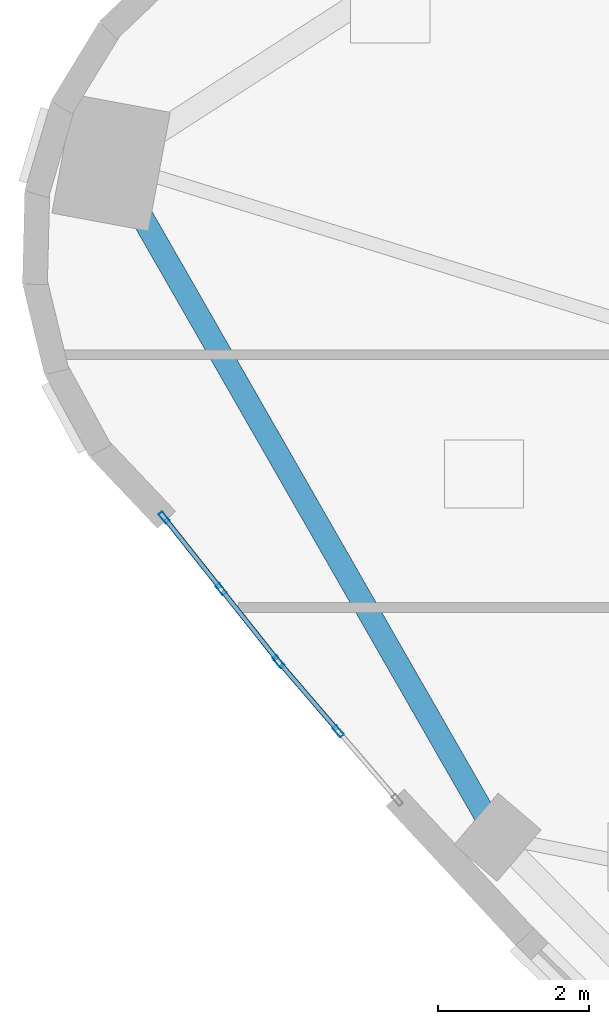
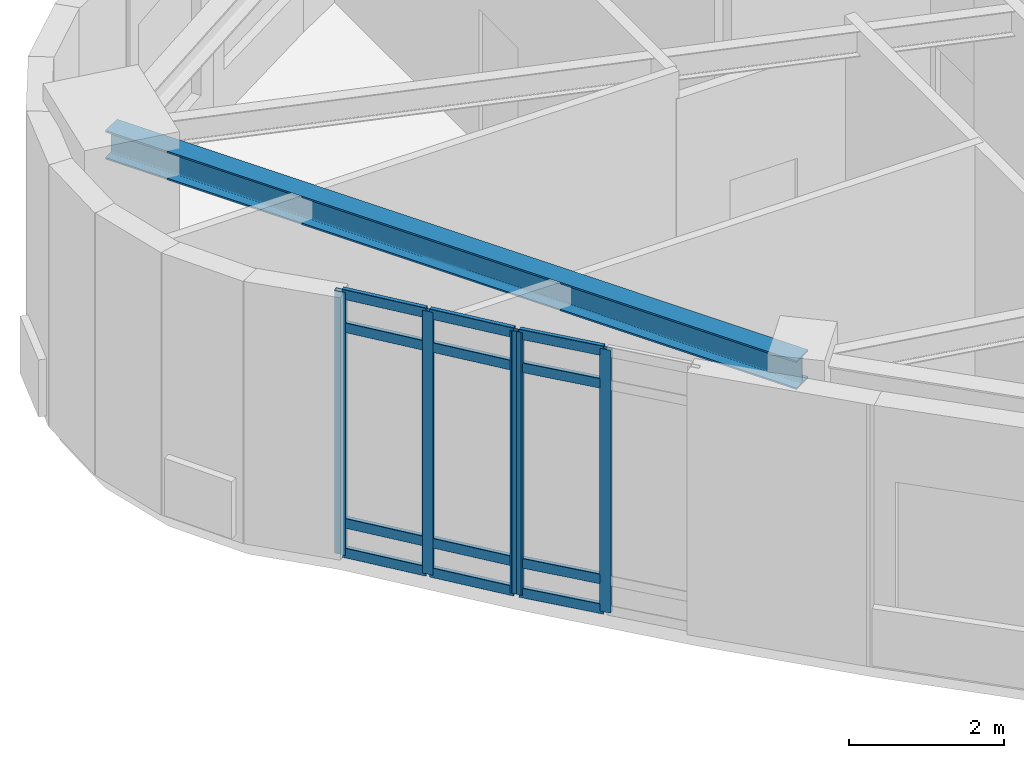
# One storey, part 5 of 19: 17 members, 1 beam, 2 elements without a shape of their own.
"""IFC4 building model written with IfcOpenShell, lengths in metres."""

import ifcopenshell
import ifcopenshell.guid

model = None  # the IFC model being written
_history = None  # IfcOwnerHistory: only IFC2X3 demands one
_inside = {}  # id of a spatial element -> (the spatial element, [elements in it])
_under = {}  # id of a project, library or spatial element -> (it, [spatial elements below it])
_declared = {}  # id of a project -> (the project, [libraries it declares])
_typed = {}  # id of a type object -> (the type object, [elements of that type])
_made_of = {}  # id of a material, layer set ... -> (it, [elements and type objects made of it])


def new_model(schema):
    """Start an empty IFC model of exactly this schema.

    Asked for "IFC4X3", IfcOpenShell would pick the latest addendum, in which some entities
    have other attributes; the version numbers below select the first issue.
    IFC2X3 requires an IfcOwnerHistory on every rooted entity: one is made here for all.
    """
    global model, _history
    if schema == "IFC4X3":
        model = ifcopenshell.file(schema_version=(4, 3, 0, 0))
    else:
        model = ifcopenshell.file(schema=schema)
    _inside.clear()
    _under.clear()
    _declared.clear()
    _typed.clear()
    _made_of.clear()
    _history = None
    if model.schema == "IFC2X3":
        org = make("IfcOrganization", Name="unknown")
        user = make(
            "IfcPersonAndOrganization",
            ThePerson=make("IfcPerson", FamilyName="unknown"),
            TheOrganization=org,
        )
        app = make(
            "IfcApplication",
            ApplicationDeveloper=org,
            Version="unknown",
            ApplicationFullName="unknown",
            ApplicationIdentifier="unknown",
        )
        _history = make(
            "IfcOwnerHistory",
            OwningUser=user,
            OwningApplication=app,
            ChangeAction="ADDED",
            CreationDate=0,
        )
    return model


def make(cls, **values):
    """One entity of the class cls with the attributes given. An attribute that is None is left unset."""
    return model.create_entity(
        cls, **{name: value for name, value in values.items() if value is not None}
    )


def rooted(cls, **values):
    """An entity with a GlobalId (a new one), such as an element, a storey or a relation."""
    return make(cls, GlobalId=ifcopenshell.guid.new(), OwnerHistory=_history, **values)


def si_unit(unit_type, name, prefix=None):
    """IfcSIUnit, for example si_unit("LENGTHUNIT", "METRE", prefix="MILLI")."""
    return make("IfcSIUnit", UnitType=unit_type, Prefix=prefix, Name=name)


def assignment(units):
    """IfcUnitAssignment: the units of a project."""
    return None if units is None else make("IfcUnitAssignment", Units=units)


def point(xyz):
    """IfcCartesianPoint."""
    return None if xyz is None else make("IfcCartesianPoint", Coordinates=xyz)


def direction(xyz):
    """IfcDirection."""
    return None if xyz is None else make("IfcDirection", DirectionRatios=xyz)


def frame(location, z_axis=None, x_axis=None):
    """IfcAxis2Placement3D, a coordinate frame: its origin and axes. An axis left out is left unset."""
    return make(
        "IfcAxis2Placement3D",
        Location=point(location),
        Axis=direction(z_axis),
        RefDirection=direction(x_axis),
    )


def frame_2d(location, x_axis=None):
    """IfcAxis2Placement2D, a coordinate frame in the plane: its origin and x axis."""
    return make(
        "IfcAxis2Placement2D", Location=point(location), RefDirection=direction(x_axis)
    )


def origin():
    """The frame at (0, 0, 0) with its axes left unset."""
    return frame((0.0, 0.0, 0.0))


def origin_2d():
    """The frame at (0, 0) in the plane with its x axis left unset."""
    return frame_2d((0.0, 0.0))


def place(relative_to, where):
    """IfcLocalPlacement: puts the frame where relative to a parent placement (None: the world)."""
    return make(
        "IfcLocalPlacement", PlacementRelTo=relative_to, RelativePlacement=where
    )


def context(
    kind, dimensions, precision=None, world=None, true_north=None, identifier=None
):
    """IfcGeometricRepresentationContext, for example the 3D "Model" context."""
    return make(
        "IfcGeometricRepresentationContext",
        ContextIdentifier=identifier,
        ContextType=kind,
        CoordinateSpaceDimension=dimensions,
        Precision=precision,
        WorldCoordinateSystem=world,
        TrueNorth=true_north,
    )


def subcontext(parent, identifier, kind, view, scale=None):
    """IfcGeometricRepresentationSubContext, for example "Body" below "Model"."""
    return make(
        "IfcGeometricRepresentationSubContext",
        ContextIdentifier=identifier,
        ContextType=kind,
        ParentContext=parent,
        TargetScale=scale,
        TargetView=view,
    )


def project(units=None, contexts=None):
    """IfcProject with its units and contexts."""
    return rooted(
        "IfcProject",
        Name="project",
        RepresentationContexts=contexts,
        UnitsInContext=assignment(units),
    )


def spatial(cls, under=None, at=None, **own):
    """A site, building, storey or space (cls), placed at a placement, below another one or the project."""
    s = rooted(cls, ObjectPlacement=at, **own)
    if under is not None:
        _under.setdefault(under.id(), (under, []))[1].append(s)
    return s


def profile(cls, at=None, kind="AREA", **sizes):
    """A parametric profile (cls). Its sizes go by their IFC names, for example OverallWidth=200.0."""
    return make(cls, ProfileType=kind, Position=at, **sizes)


def hollow_rectangle(**sizes):
    """IfcRectangleHollowProfileDef."""
    return profile("IfcRectangleHollowProfileDef", **sizes)


def i_section(**sizes):
    """IfcIShapeProfileDef."""
    return profile("IfcIShapeProfileDef", **sizes)


def extrude(swept, where, along, depth):
    """IfcExtrudedAreaSolid: the profile swept, set in the frame where, extruded along a direction by depth."""
    return make(
        "IfcExtrudedAreaSolid",
        SweptArea=swept,
        Position=where,
        ExtrudedDirection=direction(along),
        Depth=depth,
    )


def shape(context_of_items, identifier, shape_type, items):
    """IfcShapeRepresentation: the items that make up one representation, for example the "Body"."""
    return make(
        "IfcShapeRepresentation",
        ContextOfItems=context_of_items,
        RepresentationIdentifier=identifier,
        RepresentationType=shape_type,
        Items=items,
    )


def material(Name=None, Category=None):
    """IfcMaterial."""
    return make("IfcMaterial", Name=Name, Category=Category)


def layer(
    of_material, thickness, ventilated=None, Name=None, Category=None, Priority=None
):
    """IfcMaterialLayer: one layer of a wall or slab, of a material (None: an air gap)."""
    return make(
        "IfcMaterialLayer",
        Material=of_material,
        LayerThickness=thickness,
        IsVentilated=ventilated,
        Name=Name,
        Category=Category,
        Priority=Priority,
    )


def layer_set(layers, Name=None):
    """IfcMaterialLayerSet."""
    return make("IfcMaterialLayerSet", MaterialLayers=layers, LayerSetName=Name)


def material_profile(
    of_material, cross_section, Name=None, Category=None, Priority=None
):
    """IfcMaterialProfile: a cross section and its material."""
    return make(
        "IfcMaterialProfile",
        Name=Name,
        Material=of_material,
        Profile=cross_section,
        Priority=Priority,
        Category=Category,
    )


def profile_set(profiles, Name=None, composite=None):
    """IfcMaterialProfileSet."""
    return make(
        "IfcMaterialProfileSet",
        Name=Name,
        MaterialProfiles=profiles,
        CompositeProfile=composite,
    )


def made_of(thing, what):
    """Note that an element or type object is made of a material, layer set ...; save() writes the relation."""
    if what is not None:
        _made_of.setdefault(what.id(), (what, []))[1].append(thing)
    return thing


def type_object(cls, material=None, **own):
    """A type object (cls), such as IfcWallType, which elements share."""
    return made_of(rooted(cls, **own), material)


def element(
    cls,
    number,
    at=None,
    inside=None,
    cuts=None,
    type_object=None,
    material=None,
    context=None,
    identifier="Body",
    shape_type=None,
    held_by="IfcProductDefinitionShape",
    body=None,
    shapes=None,
    **own,
):
    """One element of the class cls, such as IfcWall. Its Tag is "e" and its number.

    at: its placement. inside: the storey or other place that contains it. cuts: it is an
    opening in that element (IfcRelVoidsElement). A single representation is given by context,
    identifier, shape_type and body (its items); several are given by shapes. held_by: the class
    of the entity that holds the representations. save() writes the other relations.
    """
    e = rooted(cls, Tag="e%d" % number, ObjectPlacement=at, **own)
    if body is not None:
        shapes = [shape(context, identifier, shape_type, body)]
    if shapes is not None:
        e.Representation = make(held_by, Representations=shapes)
    if inside is not None:
        _inside.setdefault(inside.id(), (inside, []))[1].append(e)
    if cuts is not None:
        rooted(
            "IfcRelVoidsElement", RelatingBuildingElement=cuts, RelatedOpeningElement=e
        )
    if type_object is not None:
        _typed.setdefault(type_object.id(), (type_object, []))[1].append(e)
    return made_of(e, material)


def aggregate(whole, parts):
    """IfcRelAggregates: a whole, such as a stair, and the parts it consists of."""
    return rooted("IfcRelAggregates", RelatingObject=whole, RelatedObjects=parts)


def save(model, path):
    """Write the relations noted so far, then the file.

    IfcRelAggregates (storeys below a building ...), IfcRelContainedInSpatialStructure (elements
    in a storey), IfcRelDefinesByType, IfcRelAssociatesMaterial and IfcRelDeclares: one each for
    every whole, place, type object, material and project.
    """
    for whole, parts in _under.values():
        aggregate(whole, parts)
    for where, things in _inside.values():
        rooted(
            "IfcRelContainedInSpatialStructure",
            RelatedElements=things,
            RelatingStructure=where,
        )
    for kind, things in _typed.values():
        rooted("IfcRelDefinesByType", RelatedObjects=things, RelatingType=kind)
    for what, things in _made_of.values():
        rooted("IfcRelAssociatesMaterial", RelatedObjects=things, RelatingMaterial=what)
    for by, libraries in _declared.values():
        rooted("IfcRelDeclares", RelatingContext=by, RelatedDefinitions=libraries)
    model.write(path)


model = new_model("IFC4")

# Units and contexts
model_context = context("Model", 3, precision=1e-05, world=origin(), true_north=direction((0.0, 1.0)))
body_context = subcontext(model_context, "Body", "Model", "MODEL_VIEW")
ifc_project = project(units=[si_unit("LENGTHUNIT", "METRE"), si_unit("AREAUNIT", "SQUARE_METRE"), si_unit("VOLUMEUNIT", "CUBIC_METRE"), si_unit("PLANEANGLEUNIT", "RADIAN"), si_unit("MASSUNIT", "GRAM", prefix="KILO")], contexts=[model_context])

# Site, building, storey
site_placement = place(None, origin())
site = spatial("IfcSite", under=ifc_project, at=site_placement, CompositionType="ELEMENT")
building_placement = place(site_placement, origin())
building = spatial("IfcBuilding", under=site, at=building_placement, Name="Ndelora Gate Hotel", CompositionType="ELEMENT")
storey_placement = place(building_placement, frame((0.0, 0.0, 290.39990234375)))
storey = spatial("IfcBuildingStorey", under=building, at=storey_placement, Name="L72", CompositionType="ELEMENT", Elevation=290.39990234375)

# Beam
ifc_material_1 = material(Name="Steel S355", Category="steel")
ifc_material_profile_1 = material_profile(ifc_material_1, i_section(OverallWidth=0.300048828125, OverallDepth=0.449951171875, WebThickness=0.013916015625, FlangeThickness=0.02587890625, FilletRadius=0.027099609375, at=origin_2d()), Name="HEB 450")
ifc_profile_set_1 = profile_set([ifc_material_profile_1], Name="Steel S355")
beam_type = type_object("IfcBeamType", Name="BM-RING-450", PredefinedType="SPANDREL", material=ifc_profile_set_1)
beam_placement = place(storey_placement, frame((-19.949951171875, 3.697509765625, 3.905029296875), z_axis=(0.497255333538, -0.867604249222, 0.0), x_axis=(0.867604249222, 0.497255333538, 0.0)))
element("IfcBeam", 1, at=beam_placement, inside=storey, type_object=beam_type, Name="L72 structural beam RB-5", PredefinedType="SPANDREL", context=body_context, shape_type="SweptSolid", body=[
    extrude(i_section(OverallWidth=0.300048828125, OverallDepth=0.449951171875, WebThickness=0.013916015625, FlangeThickness=0.02587890625, FilletRadius=0.027099609375, at=origin_2d()), origin(), (0.0, 0.0, 1.0), 10.3115234375),
])

# Curtain wall, members
ifc_material_2 = material(Name="Bronze Anodised Unitised Aluminium and Low-E Glass", Category="aluminium")
ifc_layer = layer(ifc_material_2, 0.219970703125)
ifc_layer_set = layer_set([ifc_layer], Name="Bronze Anodised Unitised Aluminium and Low-E Glass")
curtain_wall_type = type_object("IfcCurtainWallType", Name="CW-SYS-7", PredefinedType="NOTDEFINED", material=ifc_layer_set)
curtain_wall_1_placement = place(storey_placement, origin())
curtain_wall_1 = element("IfcCurtainWall", 2, at=curtain_wall_1_placement, inside=storey, type_object=curtain_wall_type, Name="L72 West Peak Horizon Observatory Curtain Wall 1", PredefinedType="NOTDEFINED")
ifc_material_3 = material(Name="Bronze Anodised Aluminium 6063-T6", Category="aluminium")
ifc_material_profile_2 = material_profile(ifc_material_3, hollow_rectangle(XDim=0.06494140625, YDim=0.159912109375, WallThickness=0.00390625, InnerFilletRadius=0.00390625, OuterFilletRadius=0.008056640625, at=origin_2d()), Name="ALU 160x65x4")
ifc_profile_set_2 = profile_set([ifc_material_profile_2], Name="Bronze Anodised Aluminium 6063-T6")
member_type_1 = type_object("IfcMemberType", Name="MB-CW-MUL150", PredefinedType="MULLION", material=ifc_profile_set_2)
member_1_placement = place(storey_placement, frame((-19.24462890625, -1.008544921875, -0.00390625), z_axis=(0.0, 0.0, 1.0), x_axis=(0.783317390578, 0.62162196359, 0.0)))
member_1 = element("IfcMember", 3, at=member_1_placement, type_object=member_type_1, Name="CW7 mullion 1", PredefinedType="MULLION", context=body_context, shape_type="SweptSolid", body=[
    extrude(hollow_rectangle(XDim=0.06494140625, YDim=0.159912109375, WallThickness=0.00390625, InnerFilletRadius=0.00390625, OuterFilletRadius=0.008056640625, at=origin_2d()), origin(), (0.0, 0.0, 1.0), 4.137939453125),
])
member_2_placement = place(storey_placement, frame((-18.489013671875, -1.960693359375, -0.00390625), z_axis=(0.0, 0.0, 1.0), x_axis=(0.783317390578, 0.62162196359, 0.0)))
member_2 = element("IfcMember", 4, at=member_2_placement, type_object=member_type_1, Name="CW7 mullion 2", PredefinedType="MULLION", context=body_context, shape_type="SweptSolid", body=[
    extrude(hollow_rectangle(XDim=0.06494140625, YDim=0.159912109375, WallThickness=0.00390625, InnerFilletRadius=0.00390625, OuterFilletRadius=0.008056640625, at=origin_2d()), origin(), (0.0, 0.0, 1.0), 4.137939453125),
])
member_3_placement = place(storey_placement, frame((-17.7333984375, -2.912841796875, -0.00390625), z_axis=(0.0, 0.0, 1.0), x_axis=(0.783317390578, 0.62162196359, 0.0)))
member_3 = element("IfcMember", 5, at=member_3_placement, type_object=member_type_1, Name="CW7 mullion 3", PredefinedType="MULLION", context=body_context, shape_type="SweptSolid", body=[
    extrude(hollow_rectangle(XDim=0.06494140625, YDim=0.159912109375, WallThickness=0.00390625, InnerFilletRadius=0.00390625, OuterFilletRadius=0.008056640625, at=origin_2d()), origin(), (0.0, 0.0, 1.0), 4.137939453125),
])

curtain_wall_2_placement = place(storey_placement, origin())
curtain_wall_2 = element("IfcCurtainWall", 6, at=curtain_wall_2_placement, inside=storey, type_object=curtain_wall_type, Name="L72 West Peak Horizon Observatory Curtain Wall 2", PredefinedType="NOTDEFINED")
member_4_placement = place(storey_placement, frame((-17.717529296875, -2.93212890625, -0.00390625), z_axis=(0.0, 0.0, 1.0), x_axis=(0.75852990573, 0.651638229475, 0.0)))
member_4 = element("IfcMember", 7, at=member_4_placement, type_object=member_type_1, Name="CW7 mullion 1", PredefinedType="MULLION", context=body_context, shape_type="SweptSolid", body=[
    extrude(hollow_rectangle(XDim=0.06494140625, YDim=0.159912109375, WallThickness=0.00390625, InnerFilletRadius=0.00390625, OuterFilletRadius=0.008056640625, at=origin_2d()), origin(), (0.0, 0.0, 1.0), 4.137939453125),
])
member_5_placement = place(storey_placement, frame((-16.934326171875, -3.84375, -0.00390625), z_axis=(0.0, 0.0, 1.0), x_axis=(0.75852990573, 0.651638229475, 0.0)))
member_5 = element("IfcMember", 8, at=member_5_placement, type_object=member_type_1, Name="CW7 mullion 2", PredefinedType="MULLION", context=body_context, shape_type="SweptSolid", body=[
    extrude(hollow_rectangle(XDim=0.06494140625, YDim=0.159912109375, WallThickness=0.00390625, InnerFilletRadius=0.00390625, OuterFilletRadius=0.008056640625, at=origin_2d()), origin(), (0.0, 0.0, 1.0), 4.137939453125),
])

# Member
ifc_material_profile_3 = material_profile(ifc_material_3, hollow_rectangle(XDim=0.06494140625, YDim=0.159912109375, WallThickness=0.00390625, InnerFilletRadius=0.00390625, OuterFilletRadius=0.008056640625, at=origin_2d()), Name="ALU 160x65x4")
ifc_profile_set_3 = profile_set([ifc_material_profile_3], Name="Bronze Anodised Aluminium 6063-T6")
member_type_2 = type_object("IfcMemberType", Name="MB-CW-TRN150", PredefinedType="USERDEFINED", material=ifc_profile_set_3)
member_6_placement = place(storey_placement, frame((-19.228271484375, -1.029296875, 0.03271484375), z_axis=(0.621616954834, -0.783321365382, 0.0), x_axis=(0.783321365382, 0.621616954834, 0.0)))
member_6 = element("IfcMember", 9, at=member_6_placement, type_object=member_type_2, Name="CW7 transom 1.1", ObjectType="TRANSOM", PredefinedType="USERDEFINED", context=body_context, shape_type="SweptSolid", body=[
    extrude(hollow_rectangle(XDim=0.06494140625, YDim=0.159912109375, WallThickness=0.00390625, InnerFilletRadius=0.00390625, OuterFilletRadius=0.008056640625, at=origin_2d()), origin(), (0.0, 0.0, 1.0), 1.16259765625),
])

member_7_placement = place(storey_placement, frame((-19.228271484375, -1.029296875, 0.5), z_axis=(0.621616954834, -0.783321365382, 0.0), x_axis=(0.783321365382, 0.621616954834, 0.0)))
member_7 = element("IfcMember", 10, at=member_7_placement, type_object=member_type_2, Name="CW7 transom 1.2", ObjectType="TRANSOM", PredefinedType="USERDEFINED", context=body_context, shape_type="SweptSolid", body=[
    extrude(hollow_rectangle(XDim=0.06494140625, YDim=0.159912109375, WallThickness=0.00390625, InnerFilletRadius=0.00390625, OuterFilletRadius=0.008056640625, at=origin_2d()), origin(), (0.0, 0.0, 1.0), 1.16259765625),
])

member_8_placement = place(storey_placement, frame((-19.228271484375, -1.029296875, 3.580078125), z_axis=(0.621616954834, -0.783321365382, 0.0), x_axis=(0.783321365382, 0.621616954834, 0.0)))
member_8 = element("IfcMember", 11, at=member_8_placement, type_object=member_type_2, Name="CW7 transom 1.3", ObjectType="TRANSOM", PredefinedType="USERDEFINED", context=body_context, shape_type="SweptSolid", body=[
    extrude(hollow_rectangle(XDim=0.06494140625, YDim=0.159912109375, WallThickness=0.00390625, InnerFilletRadius=0.00390625, OuterFilletRadius=0.008056640625, at=origin_2d()), origin(), (0.0, 0.0, 1.0), 1.16259765625),
])

member_9_placement = place(storey_placement, frame((-19.228271484375, -1.029296875, 4.09765625), z_axis=(0.621616954834, -0.783321365382, 0.0), x_axis=(0.783321365382, 0.621616954834, 0.0)))
member_9 = element("IfcMember", 12, at=member_9_placement, type_object=member_type_2, Name="CW7 transom 1.4", ObjectType="TRANSOM", PredefinedType="USERDEFINED", context=body_context, shape_type="SweptSolid", body=[
    extrude(hollow_rectangle(XDim=0.06494140625, YDim=0.159912109375, WallThickness=0.00390625, InnerFilletRadius=0.00390625, OuterFilletRadius=0.008056640625, at=origin_2d()), origin(), (0.0, 0.0, 1.0), 1.16259765625),
])

member_10_placement = place(storey_placement, frame((-18.47265625, -1.9814453125, 0.03271484375), z_axis=(0.621616954834, -0.783321365382, 0.0), x_axis=(0.783321365382, 0.621616954834, 0.0)))
member_10 = element("IfcMember", 13, at=member_10_placement, type_object=member_type_2, Name="CW7 transom 2.1", ObjectType="TRANSOM", PredefinedType="USERDEFINED", context=body_context, shape_type="SweptSolid", body=[
    extrude(hollow_rectangle(XDim=0.06494140625, YDim=0.159912109375, WallThickness=0.00390625, InnerFilletRadius=0.00390625, OuterFilletRadius=0.008056640625, at=origin_2d()), origin(), (0.0, 0.0, 1.0), 1.16259765625),
])

member_11_placement = place(storey_placement, frame((-18.47265625, -1.9814453125, 0.5), z_axis=(0.621616954834, -0.783321365382, 0.0), x_axis=(0.783321365382, 0.621616954834, 0.0)))
member_11 = element("IfcMember", 14, at=member_11_placement, type_object=member_type_2, Name="CW7 transom 2.2", ObjectType="TRANSOM", PredefinedType="USERDEFINED", context=body_context, shape_type="SweptSolid", body=[
    extrude(hollow_rectangle(XDim=0.06494140625, YDim=0.159912109375, WallThickness=0.00390625, InnerFilletRadius=0.00390625, OuterFilletRadius=0.008056640625, at=origin_2d()), origin(), (0.0, 0.0, 1.0), 1.16259765625),
])

member_12_placement = place(storey_placement, frame((-18.47265625, -1.9814453125, 3.580078125), z_axis=(0.621616954834, -0.783321365382, 0.0), x_axis=(0.783321365382, 0.621616954834, 0.0)))
member_12 = element("IfcMember", 15, at=member_12_placement, type_object=member_type_2, Name="CW7 transom 2.3", ObjectType="TRANSOM", PredefinedType="USERDEFINED", context=body_context, shape_type="SweptSolid", body=[
    extrude(hollow_rectangle(XDim=0.06494140625, YDim=0.159912109375, WallThickness=0.00390625, InnerFilletRadius=0.00390625, OuterFilletRadius=0.008056640625, at=origin_2d()), origin(), (0.0, 0.0, 1.0), 1.16259765625),
])

member_13_placement = place(storey_placement, frame((-18.47265625, -1.9814453125, 4.09765625), z_axis=(0.621616954834, -0.783321365382, 0.0), x_axis=(0.783321365382, 0.621616954834, 0.0)))
member_13 = element("IfcMember", 16, at=member_13_placement, type_object=member_type_2, Name="CW7 transom 2.4", ObjectType="TRANSOM", PredefinedType="USERDEFINED", context=body_context, shape_type="SweptSolid", body=[
    extrude(hollow_rectangle(XDim=0.06494140625, YDim=0.159912109375, WallThickness=0.00390625, InnerFilletRadius=0.00390625, OuterFilletRadius=0.008056640625, at=origin_2d()), origin(), (0.0, 0.0, 1.0), 1.16259765625),
])

aggregate(curtain_wall_1, [member_1, member_2, member_3, member_6, member_7, member_8, member_9, member_10, member_11, member_12, member_13])

member_14_placement = place(storey_placement, frame((-17.7001953125, -2.9521484375, 0.03271484375), z_axis=(0.651526069725, -0.75862624557, 0.0), x_axis=(0.75862624557, 0.651526069725, 0.0)))
member_14 = element("IfcMember", 17, at=member_14_placement, type_object=member_type_2, Name="CW7 transom 1.1", ObjectType="TRANSOM", PredefinedType="USERDEFINED", context=body_context, shape_type="SweptSolid", body=[
    extrude(hollow_rectangle(XDim=0.06494140625, YDim=0.159912109375, WallThickness=0.00390625, InnerFilletRadius=0.00390625, OuterFilletRadius=0.008056640625, at=origin_2d()), origin(), (0.0, 0.0, 1.0), 1.14892578125),
])

member_15_placement = place(storey_placement, frame((-17.7001953125, -2.9521484375, 0.5), z_axis=(0.651526069725, -0.75862624557, 0.0), x_axis=(0.75862624557, 0.651526069725, 0.0)))
member_15 = element("IfcMember", 18, at=member_15_placement, type_object=member_type_2, Name="CW7 transom 1.2", ObjectType="TRANSOM", PredefinedType="USERDEFINED", context=body_context, shape_type="SweptSolid", body=[
    extrude(hollow_rectangle(XDim=0.06494140625, YDim=0.159912109375, WallThickness=0.00390625, InnerFilletRadius=0.00390625, OuterFilletRadius=0.008056640625, at=origin_2d()), origin(), (0.0, 0.0, 1.0), 1.14892578125),
])

member_16_placement = place(storey_placement, frame((-17.7001953125, -2.9521484375, 3.580078125), z_axis=(0.651526069725, -0.75862624557, 0.0), x_axis=(0.75862624557, 0.651526069725, 0.0)))
member_16 = element("IfcMember", 19, at=member_16_placement, type_object=member_type_2, Name="CW7 transom 1.3", ObjectType="TRANSOM", PredefinedType="USERDEFINED", context=body_context, shape_type="SweptSolid", body=[
    extrude(hollow_rectangle(XDim=0.06494140625, YDim=0.159912109375, WallThickness=0.00390625, InnerFilletRadius=0.00390625, OuterFilletRadius=0.008056640625, at=origin_2d()), origin(), (0.0, 0.0, 1.0), 1.14892578125),
])

member_17_placement = place(storey_placement, frame((-17.7001953125, -2.9521484375, 4.09765625), z_axis=(0.651526069725, -0.75862624557, 0.0), x_axis=(0.75862624557, 0.651526069725, 0.0)))
member_17 = element("IfcMember", 20, at=member_17_placement, type_object=member_type_2, Name="CW7 transom 1.4", ObjectType="TRANSOM", PredefinedType="USERDEFINED", context=body_context, shape_type="SweptSolid", body=[
    extrude(hollow_rectangle(XDim=0.06494140625, YDim=0.159912109375, WallThickness=0.00390625, InnerFilletRadius=0.00390625, OuterFilletRadius=0.008056640625, at=origin_2d()), origin(), (0.0, 0.0, 1.0), 1.14892578125),
])

aggregate(curtain_wall_2, [member_4, member_5, member_14, member_15, member_16, member_17])

save(model, "model.ifc")
